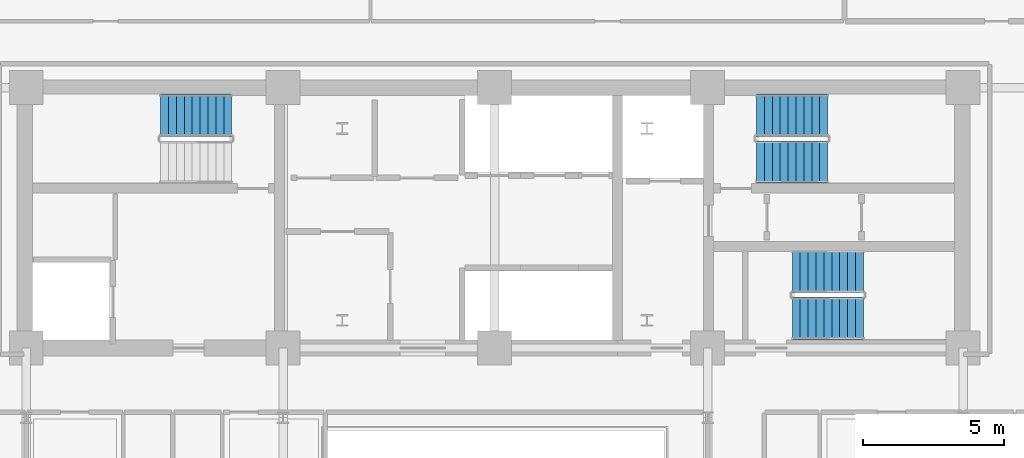
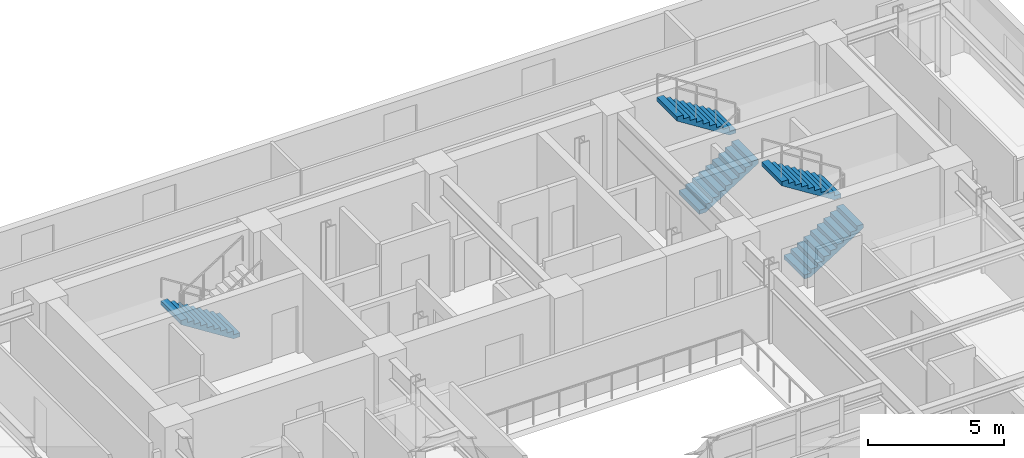
# One storey, part 10 of 13: 5 stair flights, 3 elements without a shape of their own.
"""IFC4 building model written with IfcOpenShell, lengths in metres."""

from ifc_helpers import new_model, si_unit, direction, frame, origin, place, context, subcontext, project, spatial, polyline, outline, extrude, material, layer, layer_set, type_object, element, aggregate, save


model = new_model("IFC4")

# Units and contexts
model_context = context("Model", 3, precision=1e-05, world=origin(), true_north=direction((0.0, 1.0)))
body_context = subcontext(model_context, "Body", "Model", "MODEL_VIEW")
ifc_project = project(units=[si_unit("LENGTHUNIT", "METRE"), si_unit("AREAUNIT", "SQUARE_METRE"), si_unit("VOLUMEUNIT", "CUBIC_METRE"), si_unit("PLANEANGLEUNIT", "RADIAN"), si_unit("MASSUNIT", "GRAM", prefix="KILO")], contexts=[model_context])

# Site, building, storey
site_placement = place(None, origin())
site = spatial("IfcSite", under=ifc_project, at=site_placement, CompositionType="ELEMENT")
building_placement = place(site_placement, origin())
building = spatial("IfcBuilding", under=site, at=building_placement, Name="Zarnavel Station Tower", CompositionType="ELEMENT")
storey_placement = place(building_placement, frame((0.0, 0.0, 169.64990234375)))
storey = spatial("IfcBuildingStorey", under=building, at=storey_placement, Name="L46", CompositionType="ELEMENT", Elevation=169.64990234375)

# Stair, stair flight
ifc_material_1 = material(Name="Concrete C45/55", Category="concrete")
stair_type = type_object("IfcStairType", Name="ST_CORE_150", PredefinedType="HALF_TURN_STAIR", material=ifc_material_1)
stair_1_placement = place(storey_placement, origin())
stair_1 = element("IfcStair", 1, at=stair_1_placement, inside=storey, type_object=stair_type, Name="L46 Core Exit Stair ST1", PredefinedType="HALF_TURN_STAIR")
ifc_material_2 = material(Name="Concrete C45/55", Category="concrete")
ifc_layer = layer(ifc_material_2, 0.179931640625)
ifc_layer_set = layer_set([ifc_layer], Name="ST_CORE_150_FLT")
stair_flight_type = type_object("IfcStairFlightType", Name="ST_CORE_150_FLT", PredefinedType="STRAIGHT", material=ifc_layer_set)
stair_flight_1_placement = place(storey_placement, frame((19.47998046875, 36.070068359375, 0.0), z_axis=(0.0, 0.0, 1.0), x_axis=(-1.0, 0.0, 0.0)))
stair_flight_1 = element("IfcStairFlight", 2, at=stair_flight_1_placement, type_object=stair_flight_type, Name="ST1 flight 1", NumberOfRisers=10, NumberOfTreads=9, PredefinedType="STRAIGHT", RiserHeight=0.1775, TreadLength=0.28, context=body_context, shape_type="SweptSolid", body=[
    extrude(outline(polyline([(0.0, 0.0), (0.0, 0.177490234375), (0.280029296875, 0.177490234375), (0.280029296875, 0.35498046875), (0.56005859375, 0.35498046875), (0.56005859375, 0.532470703125), (0.840087890625, 0.532470703125), (0.840087890625, 0.7099609375), (1.1201171875, 0.7099609375), (1.1201171875, 0.887451171875), (1.39990234375, 0.887451171875), (1.39990234375, 1.06494140625), (1.679931640625, 1.06494140625), (1.679931640625, 1.242431640625), (1.9599609375, 1.242431640625), (1.9599609375, 1.419921875), (2.239990234375, 1.419921875), (2.239990234375, 1.597412109375), (2.52001953125, 1.597412109375), (2.52001953125, 1.77490234375), (2.52001953125, 1.419921875), (0.280029296875, 0.0), (0.0, 0.0)])), frame((0.0, 0.75, 0.0), z_axis=(0.0, -1.0, 0.0), x_axis=(1.0, 0.0, 0.0)), (0.0, 0.0, 1.0), 1.5),
])
aggregate(stair_1, [stair_flight_1])

# Stair, stair flights
stair_2_placement = place(storey_placement, origin())
stair_2 = element("IfcStair", 3, at=stair_2_placement, inside=storey, type_object=stair_type, Name="L46 Core Exit Stair ST2", PredefinedType="HALF_TURN_STAIR")
stair_flight_2_placement = place(storey_placement, frame((38.080078125, 34.409912109375, 0.0), z_axis=(0.0, 0.0, 1.0), x_axis=(1.0, 0.0, 0.0)))
stair_flight_2 = element("IfcStairFlight", 4, at=stair_flight_2_placement, type_object=stair_flight_type, Name="ST2 flight 1", NumberOfRisers=10, NumberOfTreads=9, PredefinedType="STRAIGHT", RiserHeight=0.1775, TreadLength=0.28, context=body_context, shape_type="SweptSolid", body=[
    extrude(outline(polyline([(0.0, 0.0), (0.0, 0.177490234375), (0.280029296875, 0.177490234375), (0.280029296875, 0.35498046875), (0.56005859375, 0.35498046875), (0.56005859375, 0.532470703125), (0.840087890625, 0.532470703125), (0.840087890625, 0.7099609375), (1.1201171875, 0.7099609375), (1.1201171875, 0.887451171875), (1.39990234375, 0.887451171875), (1.39990234375, 1.06494140625), (1.679931640625, 1.06494140625), (1.679931640625, 1.242431640625), (1.9599609375, 1.242431640625), (1.9599609375, 1.419921875), (2.239990234375, 1.419921875), (2.239990234375, 1.597412109375), (2.52001953125, 1.597412109375), (2.52001953125, 1.77490234375), (2.52001953125, 1.419921875), (0.280029296875, 0.0), (0.0, 0.0)])), frame((0.0, 0.75, 0.0), z_axis=(0.0, -1.0, 0.0), x_axis=(1.0, 0.0, 0.0)), (0.0, 0.0, 1.0), 1.5),
])
stair_flight_3_placement = place(storey_placement, frame((40.60009765625, 36.070068359375, 1.775146484375), z_axis=(0.0, 0.0, 1.0), x_axis=(-1.0, 0.0, 0.0)))
stair_flight_3 = element("IfcStairFlight", 5, at=stair_flight_3_placement, type_object=stair_flight_type, Name="ST2 flight 2", NumberOfRisers=10, NumberOfTreads=9, PredefinedType="STRAIGHT", RiserHeight=0.1775, TreadLength=0.28, context=body_context, shape_type="SweptSolid", body=[
    extrude(outline(polyline([(0.0, 0.0), (0.0, 0.177490234375), (0.280029296875, 0.177490234375), (0.280029296875, 0.35498046875), (0.56005859375, 0.35498046875), (0.56005859375, 0.532470703125), (0.840087890625, 0.532470703125), (0.840087890625, 0.7099609375), (1.1201171875, 0.7099609375), (1.1201171875, 0.887451171875), (1.39990234375, 0.887451171875), (1.39990234375, 1.06494140625), (1.679931640625, 1.06494140625), (1.679931640625, 1.242431640625), (1.9599609375, 1.242431640625), (1.9599609375, 1.419921875), (2.239990234375, 1.419921875), (2.239990234375, 1.597412109375), (2.52001953125, 1.597412109375), (2.52001953125, 1.77490234375), (2.52001953125, 1.419921875), (0.280029296875, 0.0), (0.0, 0.0)])), frame((0.0, 0.75, 0.0), z_axis=(0.0, -1.0, 0.0), x_axis=(1.0, 0.0, 0.0)), (0.0, 0.0, 1.0), 1.5),
])
aggregate(stair_2, [stair_flight_2, stair_flight_3])

stair_3_placement = place(storey_placement, origin())
stair_3 = element("IfcStair", 6, at=stair_3_placement, inside=storey, type_object=stair_type, Name="L46 Core Exit Stair ST3", PredefinedType="HALF_TURN_STAIR")
stair_flight_4_placement = place(storey_placement, frame((39.35009765625, 28.8701171875, 0.0), z_axis=(0.0, 0.0, 1.0), x_axis=(1.0, 0.0, 0.0)))
stair_flight_4 = element("IfcStairFlight", 7, at=stair_flight_4_placement, type_object=stair_flight_type, Name="ST3 flight 1", NumberOfRisers=10, NumberOfTreads=9, PredefinedType="STRAIGHT", RiserHeight=0.1775, TreadLength=0.28, context=body_context, shape_type="SweptSolid", body=[
    extrude(outline(polyline([(0.0, 0.0), (0.0, 0.177490234375), (0.280029296875, 0.177490234375), (0.280029296875, 0.35498046875), (0.56005859375, 0.35498046875), (0.56005859375, 0.532470703125), (0.840087890625, 0.532470703125), (0.840087890625, 0.7099609375), (1.1201171875, 0.7099609375), (1.1201171875, 0.887451171875), (1.39990234375, 0.887451171875), (1.39990234375, 1.06494140625), (1.679931640625, 1.06494140625), (1.679931640625, 1.242431640625), (1.9599609375, 1.242431640625), (1.9599609375, 1.419921875), (2.239990234375, 1.419921875), (2.239990234375, 1.597412109375), (2.52001953125, 1.597412109375), (2.52001953125, 1.77490234375), (2.52001953125, 1.419921875), (0.280029296875, 0.0), (0.0, 0.0)])), frame((0.0, 0.75, 0.0), z_axis=(0.0, -1.0, 0.0), x_axis=(1.0, 0.0, 0.0)), (0.0, 0.0, 1.0), 1.5),
])
stair_flight_5_placement = place(storey_placement, frame((41.8701171875, 30.530029296875, 1.775146484375), z_axis=(0.0, 0.0, 1.0), x_axis=(-1.0, 0.0, 0.0)))
stair_flight_5 = element("IfcStairFlight", 8, at=stair_flight_5_placement, type_object=stair_flight_type, Name="ST3 flight 2", NumberOfRisers=10, NumberOfTreads=9, PredefinedType="STRAIGHT", RiserHeight=0.1775, TreadLength=0.28, context=body_context, shape_type="SweptSolid", body=[
    extrude(outline(polyline([(0.0, 0.0), (0.0, 0.177490234375), (0.280029296875, 0.177490234375), (0.280029296875, 0.35498046875), (0.56005859375, 0.35498046875), (0.56005859375, 0.532470703125), (0.840087890625, 0.532470703125), (0.840087890625, 0.7099609375), (1.1201171875, 0.7099609375), (1.1201171875, 0.887451171875), (1.39990234375, 0.887451171875), (1.39990234375, 1.06494140625), (1.679931640625, 1.06494140625), (1.679931640625, 1.242431640625), (1.9599609375, 1.242431640625), (1.9599609375, 1.419921875), (2.239990234375, 1.419921875), (2.239990234375, 1.597412109375), (2.52001953125, 1.597412109375), (2.52001953125, 1.77490234375), (2.52001953125, 1.419921875), (0.280029296875, 0.0), (0.0, 0.0)])), frame((0.0, 0.75, 0.0), z_axis=(0.0, -1.0, 0.0), x_axis=(1.0, 0.0, 0.0)), (0.0, 0.0, 1.0), 1.5),
])
aggregate(stair_3, [stair_flight_4, stair_flight_5])

save(model, "model.ifc")
